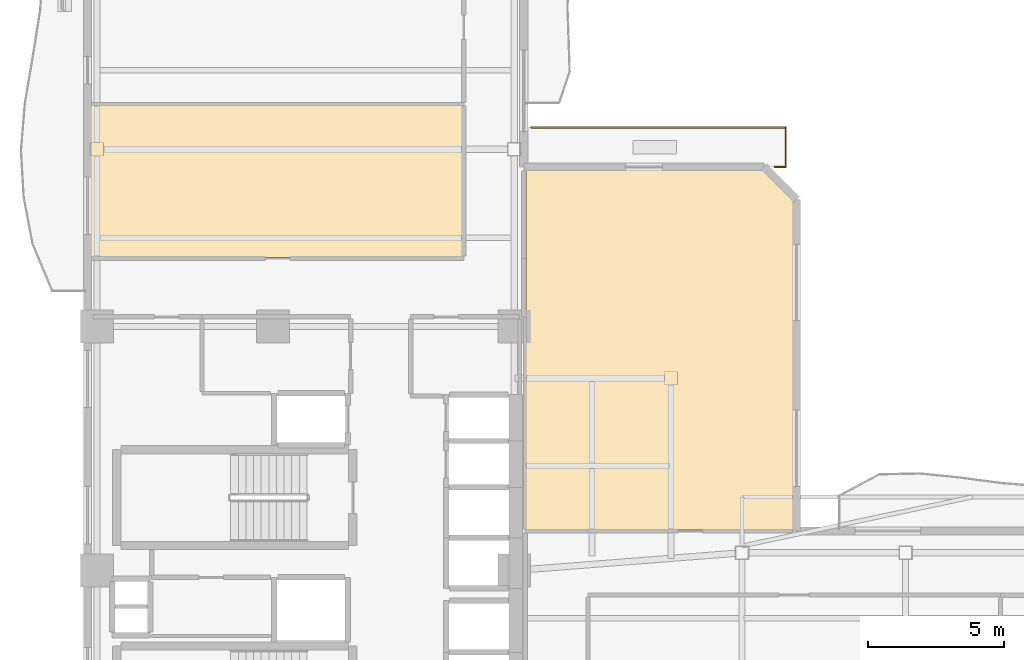
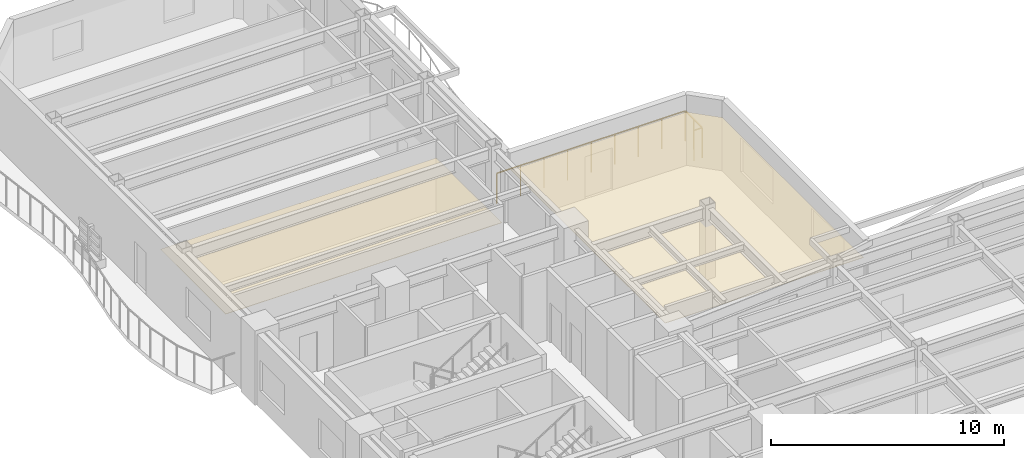
# One storey, part 8 of 9: 3 railings, 2 coverings.
"""IFC4 building model written with IfcOpenShell, lengths in metres."""

from ifc_helpers import new_model, si_unit, direction, frame, origin, origin_2d, place, context, subcontext, project, spatial, polyline, rectangle, outline, extrude, material, layer, layer_set, type_object, element, save


model = new_model("IFC4")

# Units and contexts
model_context = context("Model", 3, precision=1e-05, world=origin(), true_north=direction((0.0, 1.0)))
body_context = subcontext(model_context, "Body", "Model", "MODEL_VIEW")
ifc_project = project(units=[si_unit("LENGTHUNIT", "METRE"), si_unit("AREAUNIT", "SQUARE_METRE"), si_unit("VOLUMEUNIT", "CUBIC_METRE"), si_unit("PLANEANGLEUNIT", "RADIAN"), si_unit("MASSUNIT", "GRAM", prefix="KILO")], contexts=[model_context])

# Site, building, storey
site_placement = place(None, origin())
site = spatial("IfcSite", under=ifc_project, at=site_placement, CompositionType="ELEMENT")
building_placement = place(site_placement, origin())
building = spatial("IfcBuilding", under=site, at=building_placement, Name="Mawjaban Terraces University", CompositionType="ELEMENT")
storey_placement = place(building_placement, frame((0.0, 0.0, 115.10009765625)))
storey = spatial("IfcBuildingStorey", under=building, at=storey_placement, Name="L27", CompositionType="ELEMENT", Elevation=115.10009765625)

# Coverings
ifc_material_1 = material(Name="Acoustic mineral fibre ceiling tile", Category="masonry")
ifc_layer = layer(ifc_material_1, 0.02001953125)
ifc_layer_set = layer_set([ifc_layer], Name="Acoustic mineral fibre ceiling tile")
covering_type = type_object("IfcCoveringType", Name="AcousticMineralCeiling_20", PredefinedType="CEILING", material=ifc_layer_set)
covering_1_placement = place(storey_placement, frame((0.0, 0.0, 2.75)))
element("IfcCovering", 1, at=covering_1_placement, inside=storey, type_object=covering_type, Name="L27 Departmental Office 6 Acoustic Ceiling", PredefinedType="CEILING", context=body_context, shape_type="SweptSolid", body=[
    extrude(outline(polyline([(22.114990234375, 31.6201171875), (22.114990234375, 26.030029296875), (35.77001953125, 26.030029296875), (35.77001953125, 31.6201171875), (22.114990234375, 31.6201171875)])), origin(), (0.0, 0.0, 1.0), 0.02001953125),
])
covering_2_placement = place(storey_placement, frame((0.0, 0.0, 2.75)))
element("IfcCovering", 2, at=covering_2_placement, inside=storey, type_object=covering_type, Name="L27 Terrace Collaborative Study Room Acoustic Ceiling", PredefinedType="CEILING", context=body_context, shape_type="SweptSolid", body=[
    extrude(outline(polyline([(47.888916015625, 16.030029296875), (47.888916015625, 28.10302734375), (46.757080078125, 29.235107421875), (38.080078125, 29.235107421875), (38.080078125, 16.030029296875), (47.888916015625, 16.030029296875)])), origin(), (0.0, 0.0, 1.0), 0.02001953125),
])

# Railings
ifc_material_2 = material(Name="Galvanised powder-coated steel S355", Category="steel")
railing_type = type_object("IfcRailingType", Name="BalconyBalustrade_1600", PredefinedType="BALUSTRADE", material=ifc_material_2)
railing_1_placement = place(storey_placement, frame((47.199951171875, 29.35009765625, 0.0)))
element("IfcRailing", 3, at=railing_1_placement, inside=storey, type_object=railing_type, Name="L27 Terrace Guardrail TER-L27-CLIMB.1", PredefinedType="BALUSTRADE", context=body_context, shape_type="SweptSolid", body=[
    extrude(rectangle(XDim=0.048095703125, YDim=0.048095703125, at=origin_2d()), frame((0.0, 0.0, 1.576171875), z_axis=(1.0, 0.0, 0.0), x_axis=(0.0, 1.0, 0.0)), (0.0, 0.0, 1.0), 0.404052734375),
    extrude(rectangle(XDim=0.0419921875, YDim=0.0419921875, at=origin_2d()), origin(), (0.0, 0.0, 1.0), 1.552001953125),
    extrude(rectangle(XDim=0.0419921875, YDim=0.0419921875, at=origin_2d()), frame((0.404052734375, 0.0, 0.0)), (0.0, 0.0, 1.0), 1.552001953125),
])
railing_2_placement = place(storey_placement, frame((47.60400390625, 29.35009765625, 0.0)))
element("IfcRailing", 4, at=railing_2_placement, inside=storey, type_object=railing_type, Name="L27 Terrace Guardrail TER-L27-CLIMB.2", PredefinedType="BALUSTRADE", context=body_context, shape_type="SweptSolid", body=[
    extrude(rectangle(XDim=0.048095703125, YDim=0.048095703125, at=origin_2d()), frame((0.0, 0.0, 1.576171875), z_axis=(0.0, 1.0, 0.0), x_axis=(-1.0, 0.0, 0.0)), (0.0, 0.0, 1.0), 1.449951171875),
    extrude(rectangle(XDim=0.0419921875, YDim=0.0419921875, at=origin_2d()), origin(), (0.0, 0.0, 1.0), 1.552001953125),
    extrude(rectangle(XDim=0.0419921875, YDim=0.0419921875, at=origin_2d()), frame((0.0, 0.72509765625, 0.0)), (0.0, 0.0, 1.0), 1.552001953125),
    extrude(rectangle(XDim=0.0419921875, YDim=0.0419921875, at=origin_2d()), frame((0.0, 1.449951171875, 0.0)), (0.0, 0.0, 1.0), 1.552001953125),
])
railing_3_placement = place(storey_placement, frame((47.60400390625, 30.800048828125, 0.0)))
element("IfcRailing", 5, at=railing_3_placement, inside=storey, type_object=railing_type, Name="L27 Terrace Guardrail TER-L27-CLIMB.3", PredefinedType="BALUSTRADE", context=body_context, shape_type="SweptSolid", body=[
    extrude(rectangle(XDim=0.048095703125, YDim=0.048095703125, at=origin_2d()), frame((0.0, 0.0, 1.576171875), z_axis=(-1.0, 0.0, 0.0), x_axis=(0.0, -1.0, 0.0)), (0.0, 0.0, 1.0), 9.323974609375),
    extrude(rectangle(XDim=0.0419921875, YDim=0.0419921875, at=origin_2d()), origin(), (0.0, 0.0, 1.0), 1.552001953125),
    extrude(rectangle(XDim=0.0419921875, YDim=0.0419921875, at=origin_2d()), frame((-1.16552734375, 0.0, 0.0)), (0.0, 0.0, 1.0), 1.552001953125),
    extrude(rectangle(XDim=0.0419921875, YDim=0.0419921875, at=origin_2d()), frame((-2.3310546875, 0.0, 0.0)), (0.0, 0.0, 1.0), 1.552001953125),
    extrude(rectangle(XDim=0.0419921875, YDim=0.0419921875, at=origin_2d()), frame((-3.49658203125, 0.0, 0.0)), (0.0, 0.0, 1.0), 1.552001953125),
    extrude(rectangle(XDim=0.0419921875, YDim=0.0419921875, at=origin_2d()), frame((-4.662109375, 0.0, 0.0)), (0.0, 0.0, 1.0), 1.552001953125),
    extrude(rectangle(XDim=0.0419921875, YDim=0.0419921875, at=origin_2d()), frame((-5.827392578125, 0.0, 0.0)), (0.0, 0.0, 1.0), 1.552001953125),
    extrude(rectangle(XDim=0.0419921875, YDim=0.0419921875, at=origin_2d()), frame((-6.992919921875, 0.0, 0.0)), (0.0, 0.0, 1.0), 1.552001953125),
    extrude(rectangle(XDim=0.0419921875, YDim=0.0419921875, at=origin_2d()), frame((-8.158447265625, 0.0, 0.0)), (0.0, 0.0, 1.0), 1.552001953125),
    extrude(rectangle(XDim=0.0419921875, YDim=0.0419921875, at=origin_2d()), frame((-9.323974609375, 0.0, 0.0)), (0.0, 0.0, 1.0), 1.552001953125),
])

save(model, "model.ifc")
